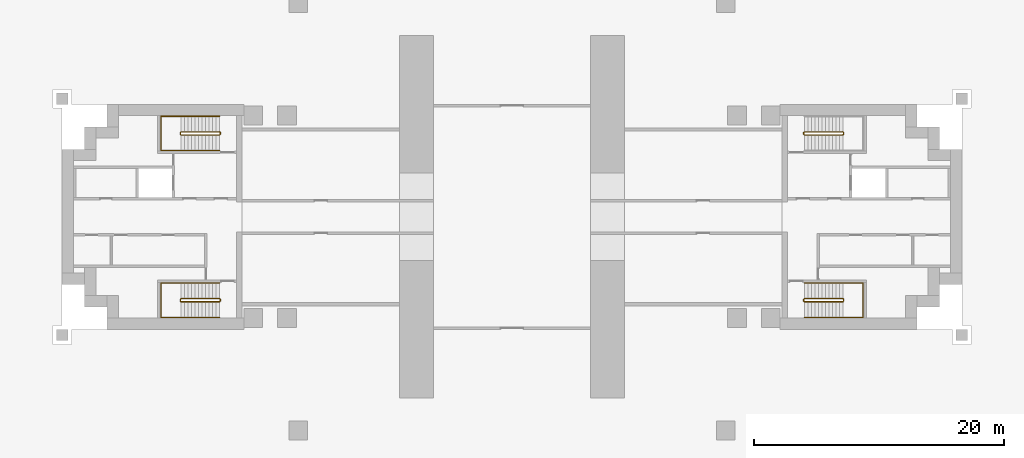
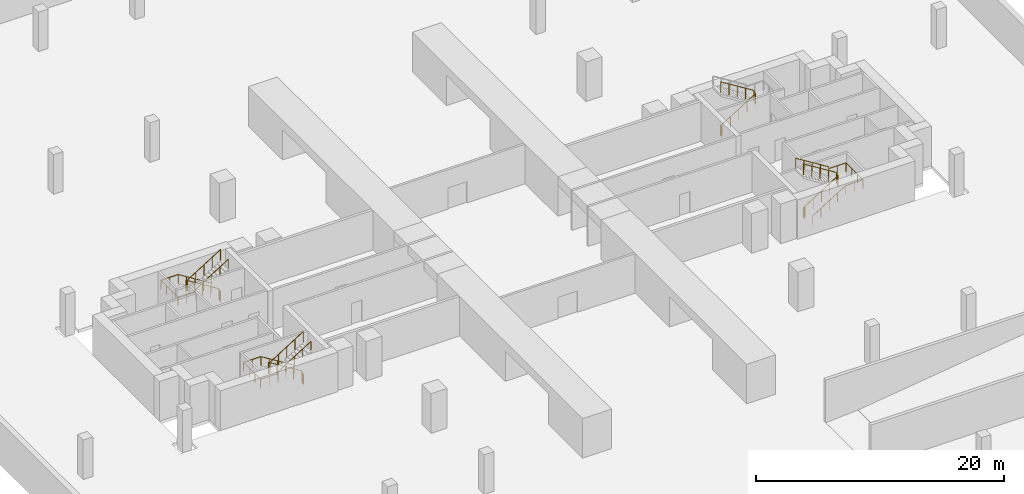
# One storey, part 7 of 8: 7 railings.
"""IFC4 building model written with IfcOpenShell, lengths in metres."""

from ifc_helpers import new_model, si_unit, direction, frame, origin, origin_2d, place, context, subcontext, project, spatial, rectangle, extrude, material, type_object, element, save


model = new_model("IFC4")

# Units and contexts
model_context = context("Model", 3, precision=1e-05, world=origin(), true_north=direction((0.0, 1.0)))
body_context = subcontext(model_context, "Body", "Model", "MODEL_VIEW")
ifc_project = project(units=[si_unit("LENGTHUNIT", "METRE"), si_unit("AREAUNIT", "SQUARE_METRE"), si_unit("VOLUMEUNIT", "CUBIC_METRE"), si_unit("PLANEANGLEUNIT", "RADIAN"), si_unit("MASSUNIT", "GRAM", prefix="KILO")], contexts=[model_context])

# Site, building, storey
site_placement = place(None, origin())
site = spatial("IfcSite", under=ifc_project, at=site_placement, CompositionType="ELEMENT")
building_placement = place(site_placement, origin())
building = spatial("IfcBuilding", under=site, at=building_placement, Name="Perihelion Cross Residences", CompositionType="ELEMENT")
storey_placement = place(building_placement, frame((0.0, 0.0, -8.699951171875)))
storey = spatial("IfcBuildingStorey", under=building, at=storey_placement, Name="B2", CompositionType="ELEMENT", Elevation=-8.699951171875)

# Railings
ifc_material_1 = material(Name="Stainless steel", Category="steel")
railing_type_1 = type_object("IfcRailingType", Name="Stair guard 1100", PredefinedType="GUARDRAIL", material=ifc_material_1)
railing_1_placement = place(storey_placement, frame((23.35009765625, 6.75, 0.0)))
element("IfcRailing", 1, at=railing_1_placement, inside=storey, type_object=railing_type_1, Name="B2 ST-E1 stair guard 1", PredefinedType="GUARDRAIL", context=body_context, shape_type="SweptSolid", body=[
    extrude(rectangle(XDim=0.048095703125, YDim=0.048095703125, at=origin_2d()), frame((0.0, 0.0, 1.076171875), z_axis=(0.0, -1.0, 0.0), x_axis=(1.0, 0.0, 0.0)), (0.0, 0.0, 1.0), 0.14990234375),
    extrude(rectangle(XDim=0.048095703125, YDim=0.048095703125, at=origin_2d()), frame((0.0, -0.14990234375, 1.076171875), z_axis=(0.263862480399, -0.265155923931, 0.927399011991), x_axis=(0.708833529934, 0.705375805398, 0.0)), (0.0, 0.0, 1.0), 0.188720703125),
    extrude(rectangle(XDim=0.048095703125, YDim=0.048095703125, at=origin_2d()), frame((0.0498046875, -0.199951171875, 1.2509765625), z_axis=(0.848028513186, 0.0, 0.529950602248), x_axis=(0.0, 1.0, 0.0)), (0.0, 0.0, 1.0), 3.632080078125),
    extrude(rectangle(XDim=0.048095703125, YDim=0.048095703125, at=origin_2d()), frame((3.1298828125, -0.199951171875, 3.17578125), z_axis=(0.707106781187, 0.707106781187, 0.0), x_axis=(-0.707106781187, 0.707106781187, 0.0)), (0.0, 0.0, 1.0), 0.07080078125),
    extrude(rectangle(XDim=0.048095703125, YDim=0.048095703125, at=origin_2d()), frame((3.179931640625, -0.14990234375, 3.17578125), z_axis=(0.0, 1.0, 0.0), x_axis=(-1.0, 0.0, 0.0)), (0.0, 0.0, 1.0), 0.14990234375),
    extrude(rectangle(XDim=0.048095703125, YDim=0.048095703125, at=origin_2d()), frame((3.179931640625, 0.0, 3.17578125), z_axis=(-0.265065253269, 0.265065253269, 0.927081885822), x_axis=(-0.707106781187, -0.707106781187, 0.0)), (0.0, 0.0, 1.0), 0.188720703125),
    extrude(rectangle(XDim=0.048095703125, YDim=0.048095703125, at=origin_2d()), frame((3.1298828125, 0.050048828125, 3.35107421875), z_axis=(-0.847998304005, 0.0, 0.529998940003), x_axis=(0.0, -1.0, 0.0)), (0.0, 0.0, 1.0), 3.632080078125),
    extrude(rectangle(XDim=0.0419921875, YDim=0.0419921875, at=origin_2d()), origin(), (0.0, 0.0, 1.0), 1.052001953125),
    extrude(rectangle(XDim=0.0419921875, YDim=0.0419921875, at=origin_2d()), frame((0.0, -0.14990234375, 0.0)), (0.0, 0.0, 1.0), 1.052001953125),
    extrude(rectangle(XDim=0.0419921875, YDim=0.0419921875, at=origin_2d()), frame((0.0498046875, -0.199951171875, 0.175048828125)), (0.0, 0.0, 1.0), 1.052001953125),
    extrude(rectangle(XDim=0.0419921875, YDim=0.0419921875, at=origin_2d()), frame((0.81982421875, -0.199951171875, 0.65625)), (0.0, 0.0, 1.0), 1.052001953125),
    extrude(rectangle(XDim=0.0419921875, YDim=0.0419921875, at=origin_2d()), frame((1.58984375, -0.199951171875, 1.137451171875)), (0.0, 0.0, 1.0), 1.052001953125),
    extrude(rectangle(XDim=0.0419921875, YDim=0.0419921875, at=origin_2d()), frame((2.35986328125, -0.199951171875, 1.61865234375)), (0.0, 0.0, 1.0), 1.052001953125),
    extrude(rectangle(XDim=0.0419921875, YDim=0.0419921875, at=origin_2d()), frame((3.1298828125, -0.199951171875, 2.099853515625)), (0.0, 0.0, 1.0), 1.052001953125),
    extrude(rectangle(XDim=0.0419921875, YDim=0.0419921875, at=origin_2d()), frame((3.179931640625, -0.14990234375, 2.099853515625)), (0.0, 0.0, 1.0), 1.052001953125),
    extrude(rectangle(XDim=0.0419921875, YDim=0.0419921875, at=origin_2d()), frame((3.179931640625, 0.0, 2.099853515625)), (0.0, 0.0, 1.0), 1.052001953125),
    extrude(rectangle(XDim=0.0419921875, YDim=0.0419921875, at=origin_2d()), frame((3.1298828125, 0.050048828125, 2.27490234375)), (0.0, 0.0, 1.0), 1.052001953125),
    extrude(rectangle(XDim=0.0419921875, YDim=0.0419921875, at=origin_2d()), frame((2.35986328125, 0.050048828125, 2.756103515625)), (0.0, 0.0, 1.0), 1.052001953125),
    extrude(rectangle(XDim=0.0419921875, YDim=0.0419921875, at=origin_2d()), frame((1.58984375, 0.050048828125, 3.2373046875)), (0.0, 0.0, 1.0), 1.052001953125),
    extrude(rectangle(XDim=0.0419921875, YDim=0.0419921875, at=origin_2d()), frame((0.81982421875, 0.050048828125, 3.71875)), (0.0, 0.0, 1.0), 1.052001953125),
    extrude(rectangle(XDim=0.0419921875, YDim=0.0419921875, at=origin_2d()), frame((0.0498046875, 0.050048828125, 4.199951171875)), (0.0, 0.0, 1.0), 1.052001953125),
])
railing_2_placement = place(storey_placement, frame((23.35009765625, -6.60009765625, 0.0)))
element("IfcRailing", 2, at=railing_2_placement, inside=storey, type_object=railing_type_1, Name="B2 ST-E2 stair guard 1", PredefinedType="GUARDRAIL", context=body_context, shape_type="SweptSolid", body=[
    extrude(rectangle(XDim=0.048095703125, YDim=0.048095703125, at=origin_2d()), frame((0.0, 0.0, 1.076171875), z_axis=(0.0, -1.0, 0.0), x_axis=(1.0, 0.0, 0.0)), (0.0, 0.0, 1.0), 0.14990234375),
    extrude(rectangle(XDim=0.048095703125, YDim=0.048095703125, at=origin_2d()), frame((0.0, -0.14990234375, 1.076171875), z_axis=(0.263862480399, -0.265155923931, 0.927399011991), x_axis=(0.708833529934, 0.705375805398, 0.0)), (0.0, 0.0, 1.0), 0.188720703125),
    extrude(rectangle(XDim=0.048095703125, YDim=0.048095703125, at=origin_2d()), frame((0.0498046875, -0.199951171875, 1.2509765625), z_axis=(0.848028513186, 0.0, 0.529950602248), x_axis=(0.0, 1.0, 0.0)), (0.0, 0.0, 1.0), 3.632080078125),
    extrude(rectangle(XDim=0.048095703125, YDim=0.048095703125, at=origin_2d()), frame((3.1298828125, -0.199951171875, 3.17578125), z_axis=(0.707106781187, 0.707106781187, 0.0), x_axis=(-0.707106781187, 0.707106781187, 0.0)), (0.0, 0.0, 1.0), 0.07080078125),
    extrude(rectangle(XDim=0.048095703125, YDim=0.048095703125, at=origin_2d()), frame((3.179931640625, -0.14990234375, 3.17578125), z_axis=(0.0, 1.0, 0.0), x_axis=(-1.0, 0.0, 0.0)), (0.0, 0.0, 1.0), 0.14990234375),
    extrude(rectangle(XDim=0.048095703125, YDim=0.048095703125, at=origin_2d()), frame((3.179931640625, 0.0, 3.17578125), z_axis=(-0.265065253269, 0.265065253269, 0.927081885822), x_axis=(-0.707106781187, -0.707106781187, 0.0)), (0.0, 0.0, 1.0), 0.188720703125),
    extrude(rectangle(XDim=0.048095703125, YDim=0.048095703125, at=origin_2d()), frame((3.1298828125, 0.050048828125, 3.35107421875), z_axis=(-0.847998304005, 0.0, 0.529998940003), x_axis=(0.0, -1.0, 0.0)), (0.0, 0.0, 1.0), 3.632080078125),
    extrude(rectangle(XDim=0.0419921875, YDim=0.0419921875, at=origin_2d()), origin(), (0.0, 0.0, 1.0), 1.052001953125),
    extrude(rectangle(XDim=0.0419921875, YDim=0.0419921875, at=origin_2d()), frame((0.0, -0.14990234375, 0.0)), (0.0, 0.0, 1.0), 1.052001953125),
    extrude(rectangle(XDim=0.0419921875, YDim=0.0419921875, at=origin_2d()), frame((0.0498046875, -0.199951171875, 0.175048828125)), (0.0, 0.0, 1.0), 1.052001953125),
    extrude(rectangle(XDim=0.0419921875, YDim=0.0419921875, at=origin_2d()), frame((0.81982421875, -0.199951171875, 0.65625)), (0.0, 0.0, 1.0), 1.052001953125),
    extrude(rectangle(XDim=0.0419921875, YDim=0.0419921875, at=origin_2d()), frame((1.58984375, -0.199951171875, 1.137451171875)), (0.0, 0.0, 1.0), 1.052001953125),
    extrude(rectangle(XDim=0.0419921875, YDim=0.0419921875, at=origin_2d()), frame((2.35986328125, -0.199951171875, 1.61865234375)), (0.0, 0.0, 1.0), 1.052001953125),
    extrude(rectangle(XDim=0.0419921875, YDim=0.0419921875, at=origin_2d()), frame((3.1298828125, -0.199951171875, 2.099853515625)), (0.0, 0.0, 1.0), 1.052001953125),
    extrude(rectangle(XDim=0.0419921875, YDim=0.0419921875, at=origin_2d()), frame((3.179931640625, -0.14990234375, 2.099853515625)), (0.0, 0.0, 1.0), 1.052001953125),
    extrude(rectangle(XDim=0.0419921875, YDim=0.0419921875, at=origin_2d()), frame((3.179931640625, 0.0, 2.099853515625)), (0.0, 0.0, 1.0), 1.052001953125),
    extrude(rectangle(XDim=0.0419921875, YDim=0.0419921875, at=origin_2d()), frame((3.1298828125, 0.050048828125, 2.27490234375)), (0.0, 0.0, 1.0), 1.052001953125),
    extrude(rectangle(XDim=0.0419921875, YDim=0.0419921875, at=origin_2d()), frame((2.35986328125, 0.050048828125, 2.756103515625)), (0.0, 0.0, 1.0), 1.052001953125),
    extrude(rectangle(XDim=0.0419921875, YDim=0.0419921875, at=origin_2d()), frame((1.58984375, 0.050048828125, 3.2373046875)), (0.0, 0.0, 1.0), 1.052001953125),
    extrude(rectangle(XDim=0.0419921875, YDim=0.0419921875, at=origin_2d()), frame((0.81982421875, 0.050048828125, 3.71875)), (0.0, 0.0, 1.0), 1.052001953125),
    extrude(rectangle(XDim=0.0419921875, YDim=0.0419921875, at=origin_2d()), frame((0.0498046875, 0.050048828125, 4.199951171875)), (0.0, 0.0, 1.0), 1.052001953125),
])
railing_3_placement = place(storey_placement, frame((-23.35009765625, 6.60009765625, 0.0)))
element("IfcRailing", 3, at=railing_3_placement, inside=storey, type_object=railing_type_1, Name="B2 ST-W1 stair guard 1", PredefinedType="GUARDRAIL", context=body_context, shape_type="SweptSolid", body=[
    extrude(rectangle(XDim=0.048095703125, YDim=0.048095703125, at=origin_2d()), frame((0.0, 0.0, 1.076171875), z_axis=(0.0, 1.0, 0.0), x_axis=(-1.0, 0.0, 0.0)), (0.0, 0.0, 1.0), 0.14990234375),
    extrude(rectangle(XDim=0.048095703125, YDim=0.048095703125, at=origin_2d()), frame((0.0, 0.14990234375, 1.076171875), z_axis=(-0.263862480399, 0.265155923931, 0.927399011991), x_axis=(-0.708833529934, -0.705375805398, 0.0)), (0.0, 0.0, 1.0), 0.188720703125),
    extrude(rectangle(XDim=0.048095703125, YDim=0.048095703125, at=origin_2d()), frame((-0.0498046875, 0.199951171875, 1.2509765625), z_axis=(-0.848028513186, 0.0, 0.529950602248), x_axis=(0.0, -1.0, 0.0)), (0.0, 0.0, 1.0), 3.632080078125),
    extrude(rectangle(XDim=0.048095703125, YDim=0.048095703125, at=origin_2d()), frame((-3.1298828125, 0.199951171875, 3.17578125), z_axis=(-0.707106781187, -0.707106781187, 0.0), x_axis=(0.707106781187, -0.707106781187, 0.0)), (0.0, 0.0, 1.0), 0.07080078125),
    extrude(rectangle(XDim=0.048095703125, YDim=0.048095703125, at=origin_2d()), frame((-3.179931640625, 0.14990234375, 3.17578125), z_axis=(0.0, -1.0, 0.0), x_axis=(1.0, 0.0, 0.0)), (0.0, 0.0, 1.0), 0.14990234375),
    extrude(rectangle(XDim=0.048095703125, YDim=0.048095703125, at=origin_2d()), frame((-3.179931640625, 0.0, 3.17578125), z_axis=(0.265065253269, -0.265065253269, 0.927081885822), x_axis=(0.707106781187, 0.707106781187, 0.0)), (0.0, 0.0, 1.0), 0.188720703125),
    extrude(rectangle(XDim=0.048095703125, YDim=0.048095703125, at=origin_2d()), frame((-3.1298828125, -0.050048828125, 3.35107421875), z_axis=(0.847998304005, 0.0, 0.529998940003), x_axis=(0.0, 1.0, 0.0)), (0.0, 0.0, 1.0), 3.632080078125),
    extrude(rectangle(XDim=0.0419921875, YDim=0.0419921875, at=origin_2d()), origin(), (0.0, 0.0, 1.0), 1.052001953125),
    extrude(rectangle(XDim=0.0419921875, YDim=0.0419921875, at=origin_2d()), frame((0.0, 0.14990234375, 0.0)), (0.0, 0.0, 1.0), 1.052001953125),
    extrude(rectangle(XDim=0.0419921875, YDim=0.0419921875, at=origin_2d()), frame((-0.0498046875, 0.199951171875, 0.175048828125)), (0.0, 0.0, 1.0), 1.052001953125),
    extrude(rectangle(XDim=0.0419921875, YDim=0.0419921875, at=origin_2d()), frame((-0.81982421875, 0.199951171875, 0.65625)), (0.0, 0.0, 1.0), 1.052001953125),
    extrude(rectangle(XDim=0.0419921875, YDim=0.0419921875, at=origin_2d()), frame((-1.58984375, 0.199951171875, 1.137451171875)), (0.0, 0.0, 1.0), 1.052001953125),
    extrude(rectangle(XDim=0.0419921875, YDim=0.0419921875, at=origin_2d()), frame((-2.35986328125, 0.199951171875, 1.61865234375)), (0.0, 0.0, 1.0), 1.052001953125),
    extrude(rectangle(XDim=0.0419921875, YDim=0.0419921875, at=origin_2d()), frame((-3.1298828125, 0.199951171875, 2.099853515625)), (0.0, 0.0, 1.0), 1.052001953125),
    extrude(rectangle(XDim=0.0419921875, YDim=0.0419921875, at=origin_2d()), frame((-3.179931640625, 0.14990234375, 2.099853515625)), (0.0, 0.0, 1.0), 1.052001953125),
    extrude(rectangle(XDim=0.0419921875, YDim=0.0419921875, at=origin_2d()), frame((-3.179931640625, 0.0, 2.099853515625)), (0.0, 0.0, 1.0), 1.052001953125),
    extrude(rectangle(XDim=0.0419921875, YDim=0.0419921875, at=origin_2d()), frame((-3.1298828125, -0.050048828125, 2.27490234375)), (0.0, 0.0, 1.0), 1.052001953125),
    extrude(rectangle(XDim=0.0419921875, YDim=0.0419921875, at=origin_2d()), frame((-2.35986328125, -0.050048828125, 2.756103515625)), (0.0, 0.0, 1.0), 1.052001953125),
    extrude(rectangle(XDim=0.0419921875, YDim=0.0419921875, at=origin_2d()), frame((-1.58984375, -0.050048828125, 3.2373046875)), (0.0, 0.0, 1.0), 1.052001953125),
    extrude(rectangle(XDim=0.0419921875, YDim=0.0419921875, at=origin_2d()), frame((-0.81982421875, -0.050048828125, 3.71875)), (0.0, 0.0, 1.0), 1.052001953125),
    extrude(rectangle(XDim=0.0419921875, YDim=0.0419921875, at=origin_2d()), frame((-0.0498046875, -0.050048828125, 4.199951171875)), (0.0, 0.0, 1.0), 1.052001953125),
])
railing_4_placement = place(storey_placement, frame((-23.35009765625, -6.75, 0.0)))
element("IfcRailing", 4, at=railing_4_placement, inside=storey, type_object=railing_type_1, Name="B2 ST-W2 stair guard 1", PredefinedType="GUARDRAIL", context=body_context, shape_type="SweptSolid", body=[
    extrude(rectangle(XDim=0.048095703125, YDim=0.048095703125, at=origin_2d()), frame((0.0, 0.0, 1.076171875), z_axis=(0.0, 1.0, 0.0), x_axis=(-1.0, 0.0, 0.0)), (0.0, 0.0, 1.0), 0.14990234375),
    extrude(rectangle(XDim=0.048095703125, YDim=0.048095703125, at=origin_2d()), frame((0.0, 0.14990234375, 1.076171875), z_axis=(-0.263862480399, 0.265155923931, 0.927399011991), x_axis=(-0.708833529934, -0.705375805398, 0.0)), (0.0, 0.0, 1.0), 0.188720703125),
    extrude(rectangle(XDim=0.048095703125, YDim=0.048095703125, at=origin_2d()), frame((-0.0498046875, 0.199951171875, 1.2509765625), z_axis=(-0.848028513186, 0.0, 0.529950602248), x_axis=(0.0, -1.0, 0.0)), (0.0, 0.0, 1.0), 3.632080078125),
    extrude(rectangle(XDim=0.048095703125, YDim=0.048095703125, at=origin_2d()), frame((-3.1298828125, 0.199951171875, 3.17578125), z_axis=(-0.707106781187, -0.707106781187, 0.0), x_axis=(0.707106781187, -0.707106781187, 0.0)), (0.0, 0.0, 1.0), 0.07080078125),
    extrude(rectangle(XDim=0.048095703125, YDim=0.048095703125, at=origin_2d()), frame((-3.179931640625, 0.14990234375, 3.17578125), z_axis=(0.0, -1.0, 0.0), x_axis=(1.0, 0.0, 0.0)), (0.0, 0.0, 1.0), 0.14990234375),
    extrude(rectangle(XDim=0.048095703125, YDim=0.048095703125, at=origin_2d()), frame((-3.179931640625, 0.0, 3.17578125), z_axis=(0.265065253269, -0.265065253269, 0.927081885822), x_axis=(0.707106781187, 0.707106781187, 0.0)), (0.0, 0.0, 1.0), 0.188720703125),
    extrude(rectangle(XDim=0.048095703125, YDim=0.048095703125, at=origin_2d()), frame((-3.1298828125, -0.050048828125, 3.35107421875), z_axis=(0.847998304005, 0.0, 0.529998940003), x_axis=(0.0, 1.0, 0.0)), (0.0, 0.0, 1.0), 3.632080078125),
    extrude(rectangle(XDim=0.0419921875, YDim=0.0419921875, at=origin_2d()), origin(), (0.0, 0.0, 1.0), 1.052001953125),
    extrude(rectangle(XDim=0.0419921875, YDim=0.0419921875, at=origin_2d()), frame((0.0, 0.14990234375, 0.0)), (0.0, 0.0, 1.0), 1.052001953125),
    extrude(rectangle(XDim=0.0419921875, YDim=0.0419921875, at=origin_2d()), frame((-0.0498046875, 0.199951171875, 0.175048828125)), (0.0, 0.0, 1.0), 1.052001953125),
    extrude(rectangle(XDim=0.0419921875, YDim=0.0419921875, at=origin_2d()), frame((-0.81982421875, 0.199951171875, 0.65625)), (0.0, 0.0, 1.0), 1.052001953125),
    extrude(rectangle(XDim=0.0419921875, YDim=0.0419921875, at=origin_2d()), frame((-1.58984375, 0.199951171875, 1.137451171875)), (0.0, 0.0, 1.0), 1.052001953125),
    extrude(rectangle(XDim=0.0419921875, YDim=0.0419921875, at=origin_2d()), frame((-2.35986328125, 0.199951171875, 1.61865234375)), (0.0, 0.0, 1.0), 1.052001953125),
    extrude(rectangle(XDim=0.0419921875, YDim=0.0419921875, at=origin_2d()), frame((-3.1298828125, 0.199951171875, 2.099853515625)), (0.0, 0.0, 1.0), 1.052001953125),
    extrude(rectangle(XDim=0.0419921875, YDim=0.0419921875, at=origin_2d()), frame((-3.179931640625, 0.14990234375, 2.099853515625)), (0.0, 0.0, 1.0), 1.052001953125),
    extrude(rectangle(XDim=0.0419921875, YDim=0.0419921875, at=origin_2d()), frame((-3.179931640625, 0.0, 2.099853515625)), (0.0, 0.0, 1.0), 1.052001953125),
    extrude(rectangle(XDim=0.0419921875, YDim=0.0419921875, at=origin_2d()), frame((-3.1298828125, -0.050048828125, 2.27490234375)), (0.0, 0.0, 1.0), 1.052001953125),
    extrude(rectangle(XDim=0.0419921875, YDim=0.0419921875, at=origin_2d()), frame((-2.35986328125, -0.050048828125, 2.756103515625)), (0.0, 0.0, 1.0), 1.052001953125),
    extrude(rectangle(XDim=0.0419921875, YDim=0.0419921875, at=origin_2d()), frame((-1.58984375, -0.050048828125, 3.2373046875)), (0.0, 0.0, 1.0), 1.052001953125),
    extrude(rectangle(XDim=0.0419921875, YDim=0.0419921875, at=origin_2d()), frame((-0.81982421875, -0.050048828125, 3.71875)), (0.0, 0.0, 1.0), 1.052001953125),
    extrude(rectangle(XDim=0.0419921875, YDim=0.0419921875, at=origin_2d()), frame((-0.0498046875, -0.050048828125, 4.199951171875)), (0.0, 0.0, 1.0), 1.052001953125),
])
ifc_material_2 = material(Name="Stainless steel", Category="steel")
railing_type_2 = type_object("IfcRailingType", Name="Stair handrail 900", PredefinedType="HANDRAIL", material=ifc_material_2)
railing_5_placement = place(storey_placement, frame((23.39990234375, -8.050048828125, 0.175048828125)))
element("IfcRailing", 5, at=railing_5_placement, inside=storey, type_object=railing_type_2, Name="B2 ST-E2 stair handrail 1", PredefinedType="HANDRAIL", context=body_context, shape_type="SweptSolid", body=[
    extrude(rectangle(XDim=0.048095703125, YDim=0.048095703125, at=origin_2d()), frame((0.0, 0.0, 0.8759765625), z_axis=(0.848028513186, 0.0, 0.529950602248), x_axis=(0.0, 1.0, 0.0)), (0.0, 0.0, 1.0), 3.632080078125),
    extrude(rectangle(XDim=0.048095703125, YDim=0.048095703125, at=origin_2d()), frame((3.080078125, 0.0, 2.80078125), z_axis=(1.0, 0.0, 0.0), x_axis=(0.0, 1.0, 0.0)), (0.0, 0.0, 1.0), 1.6201171875),
    extrude(rectangle(XDim=0.048095703125, YDim=0.048095703125, at=origin_2d()), frame((4.7001953125, 0.0, 2.80078125), z_axis=(0.0, 1.0, 0.0), x_axis=(-1.0, 0.0, 0.0)), (0.0, 0.0, 1.0), 2.75),
    extrude(rectangle(XDim=0.048095703125, YDim=0.048095703125, at=origin_2d()), frame((4.7001953125, 2.75, 2.80078125), z_axis=(-1.0, 0.0, 0.0), x_axis=(0.0, -1.0, 0.0)), (0.0, 0.0, 1.0), 1.6201171875),
    extrude(rectangle(XDim=0.048095703125, YDim=0.048095703125, at=origin_2d()), frame((3.080078125, 2.75, 2.80078125), z_axis=(0.0, 0.0, 1.0), x_axis=(1.0, 0.0, 0.0)), (0.0, 0.0, 1.0), 0.175048828125),
    extrude(rectangle(XDim=0.048095703125, YDim=0.048095703125, at=origin_2d()), frame((3.080078125, 2.75, 2.9755859375), z_axis=(-0.847998304005, 0.0, 0.529998940003), x_axis=(0.0, -1.0, 0.0)), (0.0, 0.0, 1.0), 3.632080078125),
    extrude(rectangle(XDim=0.0419921875, YDim=0.0419921875, at=origin_2d()), origin(), (0.0, 0.0, 1.0), 0.851806640625),
    extrude(rectangle(XDim=0.0419921875, YDim=0.0419921875, at=origin_2d()), frame((0.77001953125, 0.0, 0.481201171875)), (0.0, 0.0, 1.0), 0.851806640625),
    extrude(rectangle(XDim=0.0419921875, YDim=0.0419921875, at=origin_2d()), frame((1.5400390625, 0.0, 0.96240234375)), (0.0, 0.0, 1.0), 0.851806640625),
    extrude(rectangle(XDim=0.0419921875, YDim=0.0419921875, at=origin_2d()), frame((2.31005859375, 0.0, 1.443603515625)), (0.0, 0.0, 1.0), 0.851806640625),
    extrude(rectangle(XDim=0.0419921875, YDim=0.0419921875, at=origin_2d()), frame((3.080078125, 0.0, 1.9248046875)), (0.0, 0.0, 1.0), 0.851806640625),
    extrude(rectangle(XDim=0.0419921875, YDim=0.0419921875, at=origin_2d()), frame((3.89013671875, 0.0, 1.9248046875)), (0.0, 0.0, 1.0), 0.851806640625),
    extrude(rectangle(XDim=0.0419921875, YDim=0.0419921875, at=origin_2d()), frame((4.7001953125, 0.0, 1.9248046875)), (0.0, 0.0, 1.0), 0.851806640625),
    extrude(rectangle(XDim=0.0419921875, YDim=0.0419921875, at=origin_2d()), frame((4.7001953125, 0.916748046875, 1.9248046875)), (0.0, 0.0, 1.0), 0.851806640625),
    extrude(rectangle(XDim=0.0419921875, YDim=0.0419921875, at=origin_2d()), frame((4.7001953125, 1.833251953125, 1.9248046875)), (0.0, 0.0, 1.0), 0.851806640625),
    extrude(rectangle(XDim=0.0419921875, YDim=0.0419921875, at=origin_2d()), frame((4.7001953125, 2.75, 1.9248046875)), (0.0, 0.0, 1.0), 0.851806640625),
    extrude(rectangle(XDim=0.0419921875, YDim=0.0419921875, at=origin_2d()), frame((3.89013671875, 2.75, 1.9248046875)), (0.0, 0.0, 1.0), 0.851806640625),
    extrude(rectangle(XDim=0.0419921875, YDim=0.0419921875, at=origin_2d()), frame((3.080078125, 2.75, 1.9248046875)), (0.0, 0.0, 1.0), 0.851806640625),
    extrude(rectangle(XDim=0.0419921875, YDim=0.0419921875, at=origin_2d()), frame((3.080078125, 2.75, 2.099853515625)), (0.0, 0.0, 1.0), 0.851806640625),
    extrude(rectangle(XDim=0.0419921875, YDim=0.0419921875, at=origin_2d()), frame((2.31005859375, 2.75, 2.5810546875)), (0.0, 0.0, 1.0), 0.851806640625),
    extrude(rectangle(XDim=0.0419921875, YDim=0.0419921875, at=origin_2d()), frame((1.5400390625, 2.75, 3.0625)), (0.0, 0.0, 1.0), 0.851806640625),
    extrude(rectangle(XDim=0.0419921875, YDim=0.0419921875, at=origin_2d()), frame((0.77001953125, 2.75, 3.543701171875)), (0.0, 0.0, 1.0), 0.851806640625),
    extrude(rectangle(XDim=0.0419921875, YDim=0.0419921875, at=origin_2d()), frame((0.0, 2.75, 4.02490234375)), (0.0, 0.0, 1.0), 0.851806640625),
])
railing_6_placement = place(storey_placement, frame((-23.39990234375, 8.050048828125, 0.175048828125)))
element("IfcRailing", 6, at=railing_6_placement, inside=storey, type_object=railing_type_2, Name="B2 ST-W1 stair handrail 1", PredefinedType="HANDRAIL", context=body_context, shape_type="SweptSolid", body=[
    extrude(rectangle(XDim=0.048095703125, YDim=0.048095703125, at=origin_2d()), frame((0.0, 0.0, 0.8759765625), z_axis=(-0.848028513186, 0.0, 0.529950602248), x_axis=(0.0, -1.0, 0.0)), (0.0, 0.0, 1.0), 3.632080078125),
    extrude(rectangle(XDim=0.048095703125, YDim=0.048095703125, at=origin_2d()), frame((-3.080078125, 0.0, 2.80078125), z_axis=(-1.0, 0.0, 0.0), x_axis=(0.0, -1.0, 0.0)), (0.0, 0.0, 1.0), 1.6201171875),
    extrude(rectangle(XDim=0.048095703125, YDim=0.048095703125, at=origin_2d()), frame((-4.7001953125, 0.0, 2.80078125), z_axis=(0.0, -1.0, 0.0), x_axis=(1.0, 0.0, 0.0)), (0.0, 0.0, 1.0), 2.75),
    extrude(rectangle(XDim=0.048095703125, YDim=0.048095703125, at=origin_2d()), frame((-4.7001953125, -2.75, 2.80078125), z_axis=(1.0, 0.0, 0.0), x_axis=(0.0, 1.0, 0.0)), (0.0, 0.0, 1.0), 1.6201171875),
    extrude(rectangle(XDim=0.048095703125, YDim=0.048095703125, at=origin_2d()), frame((-3.080078125, -2.75, 2.80078125), z_axis=(0.0, 0.0, 1.0), x_axis=(1.0, 0.0, 0.0)), (0.0, 0.0, 1.0), 0.175048828125),
    extrude(rectangle(XDim=0.048095703125, YDim=0.048095703125, at=origin_2d()), frame((-3.080078125, -2.75, 2.9755859375), z_axis=(0.847998304005, 0.0, 0.529998940003), x_axis=(0.0, 1.0, 0.0)), (0.0, 0.0, 1.0), 3.632080078125),
    extrude(rectangle(XDim=0.0419921875, YDim=0.0419921875, at=origin_2d()), origin(), (0.0, 0.0, 1.0), 0.851806640625),
    extrude(rectangle(XDim=0.0419921875, YDim=0.0419921875, at=origin_2d()), frame((-0.77001953125, 0.0, 0.481201171875)), (0.0, 0.0, 1.0), 0.851806640625),
    extrude(rectangle(XDim=0.0419921875, YDim=0.0419921875, at=origin_2d()), frame((-1.5400390625, 0.0, 0.96240234375)), (0.0, 0.0, 1.0), 0.851806640625),
    extrude(rectangle(XDim=0.0419921875, YDim=0.0419921875, at=origin_2d()), frame((-2.31005859375, 0.0, 1.443603515625)), (0.0, 0.0, 1.0), 0.851806640625),
    extrude(rectangle(XDim=0.0419921875, YDim=0.0419921875, at=origin_2d()), frame((-3.080078125, 0.0, 1.9248046875)), (0.0, 0.0, 1.0), 0.851806640625),
    extrude(rectangle(XDim=0.0419921875, YDim=0.0419921875, at=origin_2d()), frame((-3.89013671875, 0.0, 1.9248046875)), (0.0, 0.0, 1.0), 0.851806640625),
    extrude(rectangle(XDim=0.0419921875, YDim=0.0419921875, at=origin_2d()), frame((-4.7001953125, 0.0, 1.9248046875)), (0.0, 0.0, 1.0), 0.851806640625),
    extrude(rectangle(XDim=0.0419921875, YDim=0.0419921875, at=origin_2d()), frame((-4.7001953125, -0.916748046875, 1.9248046875)), (0.0, 0.0, 1.0), 0.851806640625),
    extrude(rectangle(XDim=0.0419921875, YDim=0.0419921875, at=origin_2d()), frame((-4.7001953125, -1.833251953125, 1.9248046875)), (0.0, 0.0, 1.0), 0.851806640625),
    extrude(rectangle(XDim=0.0419921875, YDim=0.0419921875, at=origin_2d()), frame((-4.7001953125, -2.75, 1.9248046875)), (0.0, 0.0, 1.0), 0.851806640625),
    extrude(rectangle(XDim=0.0419921875, YDim=0.0419921875, at=origin_2d()), frame((-3.89013671875, -2.75, 1.9248046875)), (0.0, 0.0, 1.0), 0.851806640625),
    extrude(rectangle(XDim=0.0419921875, YDim=0.0419921875, at=origin_2d()), frame((-3.080078125, -2.75, 1.9248046875)), (0.0, 0.0, 1.0), 0.851806640625),
    extrude(rectangle(XDim=0.0419921875, YDim=0.0419921875, at=origin_2d()), frame((-3.080078125, -2.75, 2.099853515625)), (0.0, 0.0, 1.0), 0.851806640625),
    extrude(rectangle(XDim=0.0419921875, YDim=0.0419921875, at=origin_2d()), frame((-2.31005859375, -2.75, 2.5810546875)), (0.0, 0.0, 1.0), 0.851806640625),
    extrude(rectangle(XDim=0.0419921875, YDim=0.0419921875, at=origin_2d()), frame((-1.5400390625, -2.75, 3.0625)), (0.0, 0.0, 1.0), 0.851806640625),
    extrude(rectangle(XDim=0.0419921875, YDim=0.0419921875, at=origin_2d()), frame((-0.77001953125, -2.75, 3.543701171875)), (0.0, 0.0, 1.0), 0.851806640625),
    extrude(rectangle(XDim=0.0419921875, YDim=0.0419921875, at=origin_2d()), frame((0.0, -2.75, 4.02490234375)), (0.0, 0.0, 1.0), 0.851806640625),
])
railing_7_placement = place(storey_placement, frame((-23.39990234375, -5.300048828125, 0.175048828125)))
element("IfcRailing", 7, at=railing_7_placement, inside=storey, type_object=railing_type_2, Name="B2 ST-W2 stair handrail 1", PredefinedType="HANDRAIL", context=body_context, shape_type="SweptSolid", body=[
    extrude(rectangle(XDim=0.048095703125, YDim=0.048095703125, at=origin_2d()), frame((0.0, 0.0, 0.8759765625), z_axis=(-0.848028513186, 0.0, 0.529950602248), x_axis=(0.0, -1.0, 0.0)), (0.0, 0.0, 1.0), 3.632080078125),
    extrude(rectangle(XDim=0.048095703125, YDim=0.048095703125, at=origin_2d()), frame((-3.080078125, 0.0, 2.80078125), z_axis=(-1.0, 0.0, 0.0), x_axis=(0.0, -1.0, 0.0)), (0.0, 0.0, 1.0), 1.6201171875),
    extrude(rectangle(XDim=0.048095703125, YDim=0.048095703125, at=origin_2d()), frame((-4.7001953125, 0.0, 2.80078125), z_axis=(0.0, -1.0, 0.0), x_axis=(1.0, 0.0, 0.0)), (0.0, 0.0, 1.0), 2.75),
    extrude(rectangle(XDim=0.048095703125, YDim=0.048095703125, at=origin_2d()), frame((-4.7001953125, -2.75, 2.80078125), z_axis=(1.0, 0.0, 0.0), x_axis=(0.0, 1.0, 0.0)), (0.0, 0.0, 1.0), 1.6201171875),
    extrude(rectangle(XDim=0.048095703125, YDim=0.048095703125, at=origin_2d()), frame((-3.080078125, -2.75, 2.80078125), z_axis=(0.0, 0.0, 1.0), x_axis=(1.0, 0.0, 0.0)), (0.0, 0.0, 1.0), 0.175048828125),
    extrude(rectangle(XDim=0.048095703125, YDim=0.048095703125, at=origin_2d()), frame((-3.080078125, -2.75, 2.9755859375), z_axis=(0.847998304005, 0.0, 0.529998940003), x_axis=(0.0, 1.0, 0.0)), (0.0, 0.0, 1.0), 3.632080078125),
    extrude(rectangle(XDim=0.0419921875, YDim=0.0419921875, at=origin_2d()), origin(), (0.0, 0.0, 1.0), 0.851806640625),
    extrude(rectangle(XDim=0.0419921875, YDim=0.0419921875, at=origin_2d()), frame((-0.77001953125, 0.0, 0.481201171875)), (0.0, 0.0, 1.0), 0.851806640625),
    extrude(rectangle(XDim=0.0419921875, YDim=0.0419921875, at=origin_2d()), frame((-1.5400390625, 0.0, 0.96240234375)), (0.0, 0.0, 1.0), 0.851806640625),
    extrude(rectangle(XDim=0.0419921875, YDim=0.0419921875, at=origin_2d()), frame((-2.31005859375, 0.0, 1.443603515625)), (0.0, 0.0, 1.0), 0.851806640625),
    extrude(rectangle(XDim=0.0419921875, YDim=0.0419921875, at=origin_2d()), frame((-3.080078125, 0.0, 1.9248046875)), (0.0, 0.0, 1.0), 0.851806640625),
    extrude(rectangle(XDim=0.0419921875, YDim=0.0419921875, at=origin_2d()), frame((-3.89013671875, 0.0, 1.9248046875)), (0.0, 0.0, 1.0), 0.851806640625),
    extrude(rectangle(XDim=0.0419921875, YDim=0.0419921875, at=origin_2d()), frame((-4.7001953125, 0.0, 1.9248046875)), (0.0, 0.0, 1.0), 0.851806640625),
    extrude(rectangle(XDim=0.0419921875, YDim=0.0419921875, at=origin_2d()), frame((-4.7001953125, -0.916748046875, 1.9248046875)), (0.0, 0.0, 1.0), 0.851806640625),
    extrude(rectangle(XDim=0.0419921875, YDim=0.0419921875, at=origin_2d()), frame((-4.7001953125, -1.833251953125, 1.9248046875)), (0.0, 0.0, 1.0), 0.851806640625),
    extrude(rectangle(XDim=0.0419921875, YDim=0.0419921875, at=origin_2d()), frame((-4.7001953125, -2.75, 1.9248046875)), (0.0, 0.0, 1.0), 0.851806640625),
    extrude(rectangle(XDim=0.0419921875, YDim=0.0419921875, at=origin_2d()), frame((-3.89013671875, -2.75, 1.9248046875)), (0.0, 0.0, 1.0), 0.851806640625),
    extrude(rectangle(XDim=0.0419921875, YDim=0.0419921875, at=origin_2d()), frame((-3.080078125, -2.75, 1.9248046875)), (0.0, 0.0, 1.0), 0.851806640625),
    extrude(rectangle(XDim=0.0419921875, YDim=0.0419921875, at=origin_2d()), frame((-3.080078125, -2.75, 2.099853515625)), (0.0, 0.0, 1.0), 0.851806640625),
    extrude(rectangle(XDim=0.0419921875, YDim=0.0419921875, at=origin_2d()), frame((-2.31005859375, -2.75, 2.5810546875)), (0.0, 0.0, 1.0), 0.851806640625),
    extrude(rectangle(XDim=0.0419921875, YDim=0.0419921875, at=origin_2d()), frame((-1.5400390625, -2.75, 3.0625)), (0.0, 0.0, 1.0), 0.851806640625),
    extrude(rectangle(XDim=0.0419921875, YDim=0.0419921875, at=origin_2d()), frame((-0.77001953125, -2.75, 3.543701171875)), (0.0, 0.0, 1.0), 0.851806640625),
    extrude(rectangle(XDim=0.0419921875, YDim=0.0419921875, at=origin_2d()), frame((0.0, -2.75, 4.02490234375)), (0.0, 0.0, 1.0), 0.851806640625),
])

save(model, "model.ifc")
